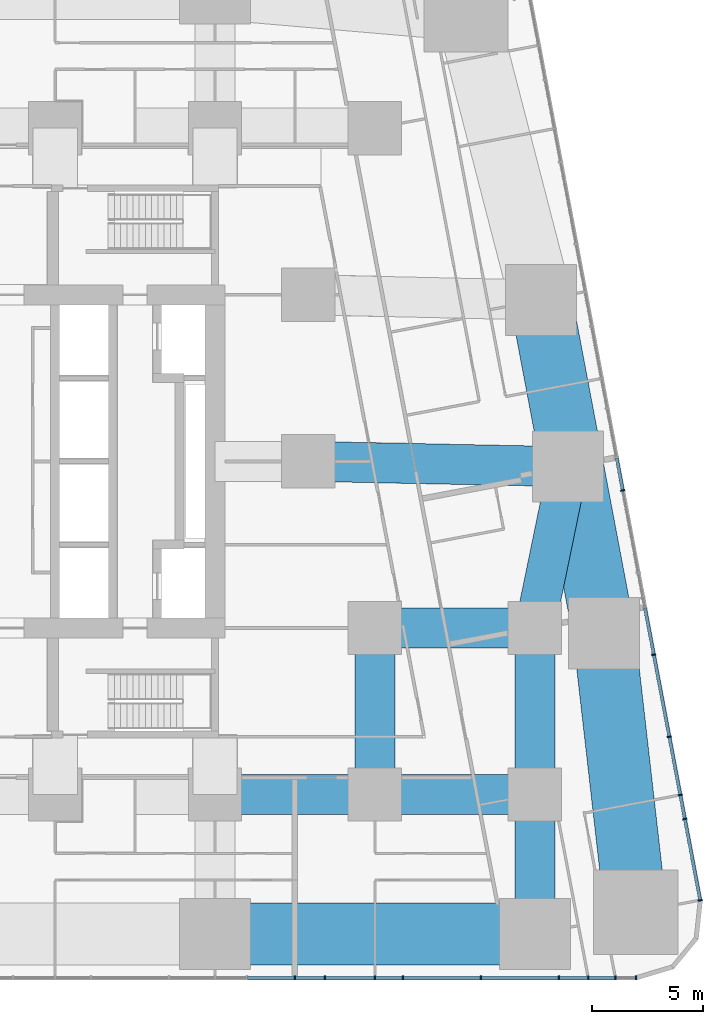
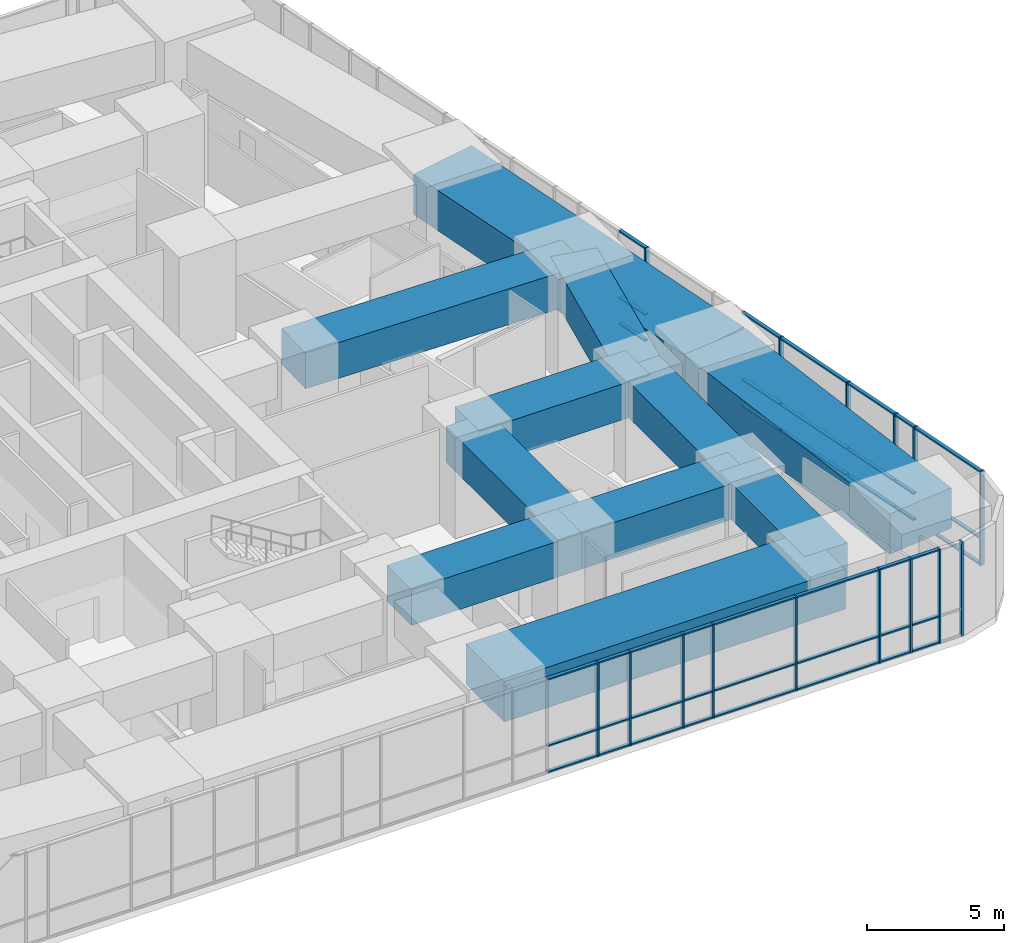
# One storey, part 5 of 22: 57 members, 11 beams, 2 elements without a shape of their own.
"""IFC4 building model written with IfcOpenShell, lengths in metres."""

from ifc_helpers import new_model, si_unit, direction, frame, origin, origin_2d, place, context, subcontext, project, spatial, rectangle, extrude, material, material_profile, profile_set, type_object, element, aggregate, save


model = new_model("IFC4")

# Units and contexts
model_context = context("Model", 3, precision=1e-05, world=origin(), true_north=direction((0.0, 1.0)))
body_context = subcontext(model_context, "Body", "Model", "MODEL_VIEW")
ifc_project = project(units=[si_unit("LENGTHUNIT", "METRE"), si_unit("AREAUNIT", "SQUARE_METRE"), si_unit("VOLUMEUNIT", "CUBIC_METRE"), si_unit("PLANEANGLEUNIT", "RADIAN"), si_unit("MASSUNIT", "GRAM", prefix="KILO")], contexts=[model_context])

# Site, building, storey
site_placement = place(None, origin())
site = spatial("IfcSite", under=ifc_project, at=site_placement, CompositionType="ELEMENT")
building_placement = place(site_placement, origin())
building = spatial("IfcBuilding", under=site, at=building_placement, Name="Sheger Commons Tower", CompositionType="ELEMENT")
storey_placement = place(building_placement, frame((0.0, 0.0, 10.10009765625)))
storey = spatial("IfcBuildingStorey", under=building, at=storey_placement, Name="L02", CompositionType="ELEMENT", Elevation=10.10009765625)

# Beams
ifc_material_1 = material(Name="Concrete C50/60", Category="concrete")
ifc_material_profile_1 = material_profile(ifc_material_1, rectangle(XDim=1.800048828125, YDim=1.60009765625, at=origin_2d()), Name="RC 1800x1600")
ifc_profile_set_1 = profile_set([ifc_material_profile_1], Name="Concrete C50/60")
beam_type_1 = type_object("IfcBeamType", Name="BEAM RC 1800x1600", PredefinedType="BEAM", material=ifc_profile_set_1)
for number, where, z_axis, x_axis, name in (
    (1, (28.800048828125, 7.5, 3.39990234375), (1.0, 0.0, 0.0), (0.0, 1.0, 0.0), "Beam 5/B-6/B under L03"),
    (2, (36.0, 7.5, 3.39990234375), (1.0, 0.0, 0.0), (0.0, 1.0, 0.0), "Beam 6/B-7/B under L03"),
    (3, (36.0, 15.0, 3.39990234375), (1.0, 0.0, 0.0), (0.0, 1.0, 0.0), "Beam 6/C-7/C under L03"),
):
    element("IfcBeam", number, at=place(storey_placement, frame(where, z_axis=z_axis, x_axis=x_axis)), inside=storey, type_object=beam_type_1, Name=name, PredefinedType="BEAM", context=body_context, shape_type="SweptSolid", body=[
        extrude(rectangle(XDim=1.800048828125, YDim=1.60009765625, at=origin_2d()), origin(), (0.0, 0.0, 1.0), 7.199951171875),
    ])
beam_1_placement = place(storey_placement, frame((33.0, 22.5, 3.39990234375), z_axis=(0.999794692776, -0.02026258368, 0.0), x_axis=(0.02026258368, 0.999794692776, 0.0)))
element("IfcBeam", 4, at=beam_1_placement, inside=storey, type_object=beam_type_1, Name="Beam 6-3000/D-7/D under L03", PredefinedType="BEAM", context=body_context, shape_type="SweptSolid", body=[
    extrude(rectangle(XDim=1.800048828125, YDim=1.60009765625, at=origin_2d()), origin(), (0.0, 0.0, 1.0), 11.699462890625),
])
beam_2_placement = place(storey_placement, frame((36.0, 7.5, 3.39990234375), z_axis=(0.0, 1.0, 0.0), x_axis=(-1.0, 0.0, 0.0)))
element("IfcBeam", 5, at=beam_2_placement, inside=storey, type_object=beam_type_1, Name="Beam 6/B-6/C under L03", PredefinedType="BEAM", context=body_context, shape_type="SweptSolid", body=[
    extrude(rectangle(XDim=1.800048828125, YDim=1.60009765625, at=origin_2d()), origin(), (0.0, 0.0, 1.0), 7.5),
])
beam_3_placement = place(storey_placement, frame((43.199951171875, 1.22509765625, 3.39990234375), z_axis=(0.0, 1.0, 0.0), x_axis=(-1.0, 0.0, 0.0)))
element("IfcBeam", 6, at=beam_3_placement, inside=storey, type_object=beam_type_1, Name="Beam 7/A-7/B under L03", PredefinedType="BEAM", context=body_context, shape_type="SweptSolid", body=[
    extrude(rectangle(XDim=1.800048828125, YDim=1.60009765625, at=origin_2d()), origin(), (0.0, 0.0, 1.0), 6.27490234375),
])
beam_4_placement = place(storey_placement, frame((43.199951171875, 7.5, 3.39990234375), z_axis=(0.0, 1.0, 0.0), x_axis=(-1.0, 0.0, 0.0)))
element("IfcBeam", 7, at=beam_4_placement, inside=storey, type_object=beam_type_1, Name="Beam 7/B-7/C under L03", PredefinedType="BEAM", context=body_context, shape_type="SweptSolid", body=[
    extrude(rectangle(XDim=1.800048828125, YDim=1.60009765625, at=origin_2d()), origin(), (0.0, 0.0, 1.0), 7.5),
])
beam_5_placement = place(storey_placement, frame((43.199951171875, 15.0, 3.39990234375), z_axis=(0.201880503661, 0.979410160373, 0.0), x_axis=(-0.979410160373, 0.201880503661, 0.0)))
element("IfcBeam", 8, at=beam_5_placement, inside=storey, type_object=beam_type_1, Name="Beam 7/C-7/D under L03", PredefinedType="BEAM", context=body_context, shape_type="SweptSolid", body=[
    extrude(rectangle(XDim=1.800048828125, YDim=1.60009765625, at=origin_2d()), origin(), (0.0, 0.0, 1.0), 7.41552734375),
])

# Curtain wall, members
ifc_material_2 = material(Name="Black aluminium curtain wall, dark tinted glazing", Category="aluminium")
curtain_wall_type = type_object("IfcCurtainWallType", Name="CURTAIN WALL CW2 HEALTH CENTRE", PredefinedType="USERDEFINED", material=ifc_material_2)
curtain_wall_1_placement = place(storey_placement, origin())
curtain_wall_1 = element("IfcCurtainWall", 9, at=curtain_wall_1_placement, inside=storey, type_object=curtain_wall_type, Name="Curtain Wall Cw2 Health Centre S1 L02", ObjectType="STICK CURTAIN WALL", PredefinedType="USERDEFINED")
ifc_material_3 = material(Name="Black anodised aluminium", Category="aluminium")
ifc_material_profile_2 = material_profile(ifc_material_3, rectangle(XDim=0.199951171875, YDim=0.06494140625, at=origin_2d()), Name="AL 65x200")
ifc_profile_set_2 = profile_set([ifc_material_profile_2], Name="Black anodised aluminium")
member_type_1 = type_object("IfcMemberType", Name="MULLION AL 65x200", PredefinedType="MULLION", material=ifc_profile_set_2)
member_1_placement = place(storey_placement, frame((32.39990234375, -0.75, 0.0), z_axis=(0.0, 0.0, 1.0), x_axis=(0.0, 1.0, 0.0)))
member_1 = element("IfcMember", 10, at=member_1_placement, type_object=member_type_1, Name="CW2 mullion 17", PredefinedType="MULLION", context=body_context, shape_type="SweptSolid", body=[
    extrude(rectangle(XDim=0.199951171875, YDim=0.06494140625, at=origin_2d()), origin(), (0.0, 0.0, 1.0), 4.199951171875),
])
member_2_placement = place(storey_placement, frame((33.751953125, -0.75, 0.0), z_axis=(0.0, 0.0, 1.0), x_axis=(0.0, 1.0, 0.0)))
member_2 = element("IfcMember", 11, at=member_2_placement, type_object=member_type_1, Name="CW2 mullion 18", PredefinedType="MULLION", context=body_context, shape_type="SweptSolid", body=[
    extrude(rectangle(XDim=0.199951171875, YDim=0.06494140625, at=origin_2d()), origin(), (0.0, 0.0, 1.0), 4.199951171875),
])
member_3_placement = place(storey_placement, frame((36.0, -0.75, 0.0), z_axis=(0.0, 0.0, 1.0), x_axis=(0.0, 1.0, 0.0)))
member_3 = element("IfcMember", 12, at=member_3_placement, type_object=member_type_1, Name="CW2 mullion 19", PredefinedType="MULLION", context=body_context, shape_type="SweptSolid", body=[
    extrude(rectangle(XDim=0.199951171875, YDim=0.06494140625, at=origin_2d()), origin(), (0.0, 0.0, 1.0), 4.199951171875),
])
member_4_placement = place(storey_placement, frame((37.260986328125, -0.75, 0.0), z_axis=(0.0, 0.0, 1.0), x_axis=(0.0, 1.0, 0.0)))
member_4 = element("IfcMember", 13, at=member_4_placement, type_object=member_type_1, Name="CW2 mullion 20", PredefinedType="MULLION", context=body_context, shape_type="SweptSolid", body=[
    extrude(rectangle(XDim=0.199951171875, YDim=0.06494140625, at=origin_2d()), origin(), (0.0, 0.0, 1.0), 4.199951171875),
])
member_5_placement = place(storey_placement, frame((40.77099609375, -0.75, 0.0), z_axis=(0.0, 0.0, 1.0), x_axis=(0.0, 1.0, 0.0)))
member_5 = element("IfcMember", 14, at=member_5_placement, type_object=member_type_1, Name="CW2 mullion 21", PredefinedType="MULLION", context=body_context, shape_type="SweptSolid", body=[
    extrude(rectangle(XDim=0.199951171875, YDim=0.06494140625, at=origin_2d()), origin(), (0.0, 0.0, 1.0), 4.199951171875),
])
member_6_placement = place(storey_placement, frame((44.281005859375, -0.75, 0.0), z_axis=(0.0, 0.0, 1.0), x_axis=(0.0, 1.0, 0.0)))
member_6 = element("IfcMember", 15, at=member_6_placement, type_object=member_type_1, Name="CW2 mullion 22", PredefinedType="MULLION", context=body_context, shape_type="SweptSolid", body=[
    extrude(rectangle(XDim=0.199951171875, YDim=0.06494140625, at=origin_2d()), origin(), (0.0, 0.0, 1.0), 4.199951171875),
])
member_7_placement = place(storey_placement, frame((45.60595703125, -0.75, 0.0), z_axis=(0.0, 0.0, 1.0), x_axis=(0.0, 1.0, 0.0)))
member_7 = element("IfcMember", 16, at=member_7_placement, type_object=member_type_1, Name="CW2 mullion 23", PredefinedType="MULLION", context=body_context, shape_type="SweptSolid", body=[
    extrude(rectangle(XDim=0.199951171875, YDim=0.06494140625, at=origin_2d()), origin(), (0.0, 0.0, 1.0), 4.199951171875),
])
member_8_placement = place(storey_placement, frame((46.826904296875, -0.75, 0.0), z_axis=(0.0, 0.0, 1.0), x_axis=(0.0, 1.0, 0.0)))
member_8 = element("IfcMember", 17, at=member_8_placement, type_object=member_type_1, Name="CW2 mullion 24", PredefinedType="MULLION", context=body_context, shape_type="SweptSolid", body=[
    extrude(rectangle(XDim=0.199951171875, YDim=0.06494140625, at=origin_2d()), origin(), (0.0, 0.0, 1.0), 4.199951171875),
])
member_9_placement = place(storey_placement, frame((47.758544921875, -0.75, 0.0), z_axis=(0.0, 0.0, 1.0), x_axis=(0.0, 1.0, 0.0)))
member_9 = element("IfcMember", 18, at=member_9_placement, type_object=member_type_1, Name="CW2 mullion 25", PredefinedType="MULLION", context=body_context, shape_type="SweptSolid", body=[
    extrude(rectangle(XDim=0.199951171875, YDim=0.06494140625, at=origin_2d()), origin(), (0.0, 0.0, 1.0), 4.199951171875),
])

curtain_wall_2_placement = place(storey_placement, origin())
curtain_wall_2 = element("IfcCurtainWall", 19, at=curtain_wall_2_placement, inside=storey, type_object=curtain_wall_type, Name="Curtain Wall Cw2 Health Centre E1 L02", ObjectType="STICK CURTAIN WALL", PredefinedType="USERDEFINED")
member_10_placement = place(storey_placement, frame((50.64697265625, 2.73486328125, 0.0), z_axis=(0.0, 0.0, 1.0), x_axis=(-0.982623514181, -0.185609884918, 0.0)))
member_10 = element("IfcMember", 20, at=member_10_placement, type_object=member_type_1, Name="CW2 mullion 1", PredefinedType="MULLION", context=body_context, shape_type="SweptSolid", body=[
    extrude(rectangle(XDim=0.199951171875, YDim=0.06494140625, at=origin_2d()), origin(), (0.0, 0.0, 1.0), 4.199951171875),
])
member_11_placement = place(storey_placement, frame((49.95458984375, 6.400634765625, 0.0), z_axis=(0.0, 0.0, 1.0), x_axis=(-0.982623514181, -0.185609884918, 0.0)))
member_11 = element("IfcMember", 21, at=member_11_placement, type_object=member_type_1, Name="CW2 mullion 2", PredefinedType="MULLION", context=body_context, shape_type="SweptSolid", body=[
    extrude(rectangle(XDim=0.199951171875, YDim=0.06494140625, at=origin_2d()), origin(), (0.0, 0.0, 1.0), 4.199951171875),
])
member_12_placement = place(storey_placement, frame((49.75048828125, 7.4814453125, 0.0), z_axis=(0.0, 0.0, 1.0), x_axis=(-0.982623514181, -0.185609884918, 0.0)))
member_12 = element("IfcMember", 22, at=member_12_placement, type_object=member_type_1, Name="CW2 mullion 3", PredefinedType="MULLION", context=body_context, shape_type="SweptSolid", body=[
    extrude(rectangle(XDim=0.199951171875, YDim=0.06494140625, at=origin_2d()), origin(), (0.0, 0.0, 1.0), 4.199951171875),
])
member_13_placement = place(storey_placement, frame((49.256103515625, 10.09814453125, 0.0), z_axis=(0.0, 0.0, 1.0), x_axis=(-0.982623514181, -0.185609884918, 0.0)))
member_13 = element("IfcMember", 23, at=member_13_placement, type_object=member_type_1, Name="CW2 mullion 4", PredefinedType="MULLION", context=body_context, shape_type="SweptSolid", body=[
    extrude(rectangle(XDim=0.199951171875, YDim=0.06494140625, at=origin_2d()), origin(), (0.0, 0.0, 1.0), 4.199951171875),
])
member_14_placement = place(storey_placement, frame((48.5576171875, 13.7958984375, 0.0), z_axis=(0.0, 0.0, 1.0), x_axis=(-0.982623514181, -0.185609884918, 0.0)))
member_14 = element("IfcMember", 24, at=member_14_placement, type_object=member_type_1, Name="CW2 mullion 5", PredefinedType="MULLION", context=body_context, shape_type="SweptSolid", body=[
    extrude(rectangle(XDim=0.199951171875, YDim=0.06494140625, at=origin_2d()), origin(), (0.0, 0.0, 1.0), 4.199951171875),
])
member_15_placement = place(storey_placement, frame((47.16064453125, 21.191162109375, 0.0), z_axis=(0.0, 0.0, 1.0), x_axis=(-0.982623514181, -0.185609884918, 0.0)))
member_15 = element("IfcMember", 25, at=member_15_placement, type_object=member_type_1, Name="CW2 mullion 9", PredefinedType="MULLION", context=body_context, shape_type="SweptSolid", body=[
    extrude(rectangle(XDim=0.199951171875, YDim=0.06494140625, at=origin_2d()), origin(), (0.0, 0.0, 1.0), 4.199951171875),
])

# Beams
ifc_material_4 = material(Name="Concrete C50/60", Category="concrete")
ifc_material_profile_3 = material_profile(ifc_material_4, rectangle(XDim=2.800048828125, YDim=1.800048828125, at=origin_2d()), Name="RC 2800x1800")
ifc_profile_set_3 = profile_set([ifc_material_profile_3], Name="Concrete C50/60")
beam_type_2 = type_object("IfcBeamType", Name="SPANDREL RC 2800x1800", PredefinedType="SPANDREL", material=ifc_profile_set_3)
beam_6_placement = place(storey_placement, frame((28.800048828125, 1.22509765625, 3.2998046875), z_axis=(1.0, 0.0, 0.0), x_axis=(0.0, 1.0, 0.0)))
element("IfcBeam", 26, at=beam_6_placement, inside=storey, type_object=beam_type_2, Name="Beam 5/A-7/A under L03", PredefinedType="SPANDREL", context=body_context, shape_type="SweptSolid", body=[
    extrude(rectangle(XDim=2.800048828125, YDim=1.800048828125, at=origin_2d()), origin(), (0.0, 0.0, 1.0), 14.39990234375),
])
beam_7_placement = place(storey_placement, frame((47.748046875, 2.197021484375, 3.2998046875), z_axis=(-0.113388708633, 0.993550703666, 0.0), x_axis=(-0.993550703666, -0.113388708633, 0.0)))
element("IfcBeam", 27, at=beam_7_placement, inside=storey, type_object=beam_type_2, Name="Beam 49.461,0.778-E/C under L03", PredefinedType="SPANDREL", context=body_context, shape_type="SweptSolid", body=[
    extrude(rectangle(XDim=2.800048828125, YDim=1.800048828125, at=origin_2d()), origin(), (0.0, 0.0, 1.0), 12.6474609375),
])
beam_8_placement = place(storey_placement, frame((46.31396484375, 14.762939453125, 3.2998046875), z_axis=(-0.185647953645, 0.982616322533, 0.0), x_axis=(-0.982616322533, -0.185647953645, 0.0)))
element("IfcBeam", 28, at=beam_8_placement, inside=storey, type_object=beam_type_2, Name="Beam E/C-E/E under L03", PredefinedType="SPANDREL", context=body_context, shape_type="SweptSolid", body=[
    extrude(rectangle(XDim=2.800048828125, YDim=1.800048828125, at=origin_2d()), origin(), (0.0, 0.0, 1.0), 15.265380859375),
])

# Member
ifc_material_5 = material(Name="Black anodised aluminium", Category="aluminium")
ifc_material_profile_4 = material_profile(ifc_material_5, rectangle(XDim=0.14990234375, YDim=0.06494140625, at=origin_2d()), Name="AL 65x150")
ifc_profile_set_4 = profile_set([ifc_material_profile_4], Name="Black anodised aluminium")
member_type_2 = type_object("IfcMemberType", Name="TRANSOM AL 65x150", PredefinedType="USERDEFINED", material=ifc_profile_set_4)
member_16_placement = place(storey_placement, frame((30.2744140625, -0.75, 0.032470703125), z_axis=(1.0, 0.0, 0.0), x_axis=(0.0, 1.0, 0.0)))
member_16 = element("IfcMember", 29, at=member_16_placement, type_object=member_type_2, Name="CW2 transom 16.1", ObjectType="TRANSOM", PredefinedType="USERDEFINED", context=body_context, shape_type="SweptSolid", body=[
    extrude(rectangle(XDim=0.14990234375, YDim=0.06494140625, at=origin_2d()), origin(), (0.0, 0.0, 1.0), 2.093017578125),
])

member_17_placement = place(storey_placement, frame((30.2744140625, -0.75, 1.199951171875), z_axis=(1.0, 0.0, 0.0), x_axis=(0.0, 1.0, 0.0)))
member_17 = element("IfcMember", 30, at=member_17_placement, type_object=member_type_2, Name="CW2 transom 16.2", ObjectType="TRANSOM", PredefinedType="USERDEFINED", context=body_context, shape_type="SweptSolid", body=[
    extrude(rectangle(XDim=0.14990234375, YDim=0.06494140625, at=origin_2d()), origin(), (0.0, 0.0, 1.0), 2.093017578125),
])

member_18_placement = place(storey_placement, frame((30.2744140625, -0.75, 4.16748046875), z_axis=(1.0, 0.0, 0.0), x_axis=(0.0, 1.0, 0.0)))
member_18 = element("IfcMember", 31, at=member_18_placement, type_object=member_type_2, Name="CW2 transom 16.3", ObjectType="TRANSOM", PredefinedType="USERDEFINED", context=body_context, shape_type="SweptSolid", body=[
    extrude(rectangle(XDim=0.14990234375, YDim=0.06494140625, at=origin_2d()), origin(), (0.0, 0.0, 1.0), 2.093017578125),
])

member_19_placement = place(storey_placement, frame((32.4326171875, -0.75, 0.032470703125), z_axis=(1.0, 0.0, 0.0), x_axis=(0.0, 1.0, 0.0)))
member_19 = element("IfcMember", 32, at=member_19_placement, type_object=member_type_2, Name="CW2 transom 17.1", ObjectType="TRANSOM", PredefinedType="USERDEFINED", context=body_context, shape_type="SweptSolid", body=[
    extrude(rectangle(XDim=0.14990234375, YDim=0.06494140625, at=origin_2d()), origin(), (0.0, 0.0, 1.0), 1.286865234375),
])

member_20_placement = place(storey_placement, frame((32.4326171875, -0.75, 1.199951171875), z_axis=(1.0, 0.0, 0.0), x_axis=(0.0, 1.0, 0.0)))
member_20 = element("IfcMember", 33, at=member_20_placement, type_object=member_type_2, Name="CW2 transom 17.2", ObjectType="TRANSOM", PredefinedType="USERDEFINED", context=body_context, shape_type="SweptSolid", body=[
    extrude(rectangle(XDim=0.14990234375, YDim=0.06494140625, at=origin_2d()), origin(), (0.0, 0.0, 1.0), 1.286865234375),
])

member_21_placement = place(storey_placement, frame((32.4326171875, -0.75, 4.16748046875), z_axis=(1.0, 0.0, 0.0), x_axis=(0.0, 1.0, 0.0)))
member_21 = element("IfcMember", 34, at=member_21_placement, type_object=member_type_2, Name="CW2 transom 17.3", ObjectType="TRANSOM", PredefinedType="USERDEFINED", context=body_context, shape_type="SweptSolid", body=[
    extrude(rectangle(XDim=0.14990234375, YDim=0.06494140625, at=origin_2d()), origin(), (0.0, 0.0, 1.0), 1.286865234375),
])

member_22_placement = place(storey_placement, frame((33.784423828125, -0.75, 0.032470703125), z_axis=(1.0, 0.0, 0.0), x_axis=(0.0, 1.0, 0.0)))
member_22 = element("IfcMember", 35, at=member_22_placement, type_object=member_type_2, Name="CW2 transom 18.1", ObjectType="TRANSOM", PredefinedType="USERDEFINED", context=body_context, shape_type="SweptSolid", body=[
    extrude(rectangle(XDim=0.14990234375, YDim=0.06494140625, at=origin_2d()), origin(), (0.0, 0.0, 1.0), 2.18310546875),
])

member_23_placement = place(storey_placement, frame((33.784423828125, -0.75, 1.199951171875), z_axis=(1.0, 0.0, 0.0), x_axis=(0.0, 1.0, 0.0)))
member_23 = element("IfcMember", 36, at=member_23_placement, type_object=member_type_2, Name="CW2 transom 18.2", ObjectType="TRANSOM", PredefinedType="USERDEFINED", context=body_context, shape_type="SweptSolid", body=[
    extrude(rectangle(XDim=0.14990234375, YDim=0.06494140625, at=origin_2d()), origin(), (0.0, 0.0, 1.0), 2.18310546875),
])

member_24_placement = place(storey_placement, frame((33.784423828125, -0.75, 4.16748046875), z_axis=(1.0, 0.0, 0.0), x_axis=(0.0, 1.0, 0.0)))
member_24 = element("IfcMember", 37, at=member_24_placement, type_object=member_type_2, Name="CW2 transom 18.3", ObjectType="TRANSOM", PredefinedType="USERDEFINED", context=body_context, shape_type="SweptSolid", body=[
    extrude(rectangle(XDim=0.14990234375, YDim=0.06494140625, at=origin_2d()), origin(), (0.0, 0.0, 1.0), 2.18310546875),
])

member_25_placement = place(storey_placement, frame((36.032470703125, -0.75, 0.032470703125), z_axis=(1.0, 0.0, 0.0), x_axis=(0.0, 1.0, 0.0)))
member_25 = element("IfcMember", 38, at=member_25_placement, type_object=member_type_2, Name="CW2 transom 19.1", ObjectType="TRANSOM", PredefinedType="USERDEFINED", context=body_context, shape_type="SweptSolid", body=[
    extrude(rectangle(XDim=0.14990234375, YDim=0.06494140625, at=origin_2d()), origin(), (0.0, 0.0, 1.0), 1.196044921875),
])

member_26_placement = place(storey_placement, frame((36.032470703125, -0.75, 1.199951171875), z_axis=(1.0, 0.0, 0.0), x_axis=(0.0, 1.0, 0.0)))
member_26 = element("IfcMember", 39, at=member_26_placement, type_object=member_type_2, Name="CW2 transom 19.2", ObjectType="TRANSOM", PredefinedType="USERDEFINED", context=body_context, shape_type="SweptSolid", body=[
    extrude(rectangle(XDim=0.14990234375, YDim=0.06494140625, at=origin_2d()), origin(), (0.0, 0.0, 1.0), 1.196044921875),
])

member_27_placement = place(storey_placement, frame((36.032470703125, -0.75, 4.16748046875), z_axis=(1.0, 0.0, 0.0), x_axis=(0.0, 1.0, 0.0)))
member_27 = element("IfcMember", 40, at=member_27_placement, type_object=member_type_2, Name="CW2 transom 19.3", ObjectType="TRANSOM", PredefinedType="USERDEFINED", context=body_context, shape_type="SweptSolid", body=[
    extrude(rectangle(XDim=0.14990234375, YDim=0.06494140625, at=origin_2d()), origin(), (0.0, 0.0, 1.0), 1.196044921875),
])

member_28_placement = place(storey_placement, frame((37.29345703125, -0.75, 0.032470703125), z_axis=(1.0, 0.0, 0.0), x_axis=(0.0, 1.0, 0.0)))
member_28 = element("IfcMember", 41, at=member_28_placement, type_object=member_type_2, Name="CW2 transom 20.1", ObjectType="TRANSOM", PredefinedType="USERDEFINED", context=body_context, shape_type="SweptSolid", body=[
    extrude(rectangle(XDim=0.14990234375, YDim=0.06494140625, at=origin_2d()), origin(), (0.0, 0.0, 1.0), 3.445068359375),
])

member_29_placement = place(storey_placement, frame((37.29345703125, -0.75, 1.199951171875), z_axis=(1.0, 0.0, 0.0), x_axis=(0.0, 1.0, 0.0)))
member_29 = element("IfcMember", 42, at=member_29_placement, type_object=member_type_2, Name="CW2 transom 20.2", ObjectType="TRANSOM", PredefinedType="USERDEFINED", context=body_context, shape_type="SweptSolid", body=[
    extrude(rectangle(XDim=0.14990234375, YDim=0.06494140625, at=origin_2d()), origin(), (0.0, 0.0, 1.0), 3.445068359375),
])

member_30_placement = place(storey_placement, frame((37.29345703125, -0.75, 4.16748046875), z_axis=(1.0, 0.0, 0.0), x_axis=(0.0, 1.0, 0.0)))
member_30 = element("IfcMember", 43, at=member_30_placement, type_object=member_type_2, Name="CW2 transom 20.3", ObjectType="TRANSOM", PredefinedType="USERDEFINED", context=body_context, shape_type="SweptSolid", body=[
    extrude(rectangle(XDim=0.14990234375, YDim=0.06494140625, at=origin_2d()), origin(), (0.0, 0.0, 1.0), 3.445068359375),
])

member_31_placement = place(storey_placement, frame((40.803466796875, -0.75, 0.032470703125), z_axis=(1.0, 0.0, 0.0), x_axis=(0.0, 1.0, 0.0)))
member_31 = element("IfcMember", 44, at=member_31_placement, type_object=member_type_2, Name="CW2 transom 21.1", ObjectType="TRANSOM", PredefinedType="USERDEFINED", context=body_context, shape_type="SweptSolid", body=[
    extrude(rectangle(XDim=0.14990234375, YDim=0.06494140625, at=origin_2d()), origin(), (0.0, 0.0, 1.0), 3.445068359375),
])

member_32_placement = place(storey_placement, frame((40.803466796875, -0.75, 1.199951171875), z_axis=(1.0, 0.0, 0.0), x_axis=(0.0, 1.0, 0.0)))
member_32 = element("IfcMember", 45, at=member_32_placement, type_object=member_type_2, Name="CW2 transom 21.2", ObjectType="TRANSOM", PredefinedType="USERDEFINED", context=body_context, shape_type="SweptSolid", body=[
    extrude(rectangle(XDim=0.14990234375, YDim=0.06494140625, at=origin_2d()), origin(), (0.0, 0.0, 1.0), 3.445068359375),
])

member_33_placement = place(storey_placement, frame((40.803466796875, -0.75, 4.16748046875), z_axis=(1.0, 0.0, 0.0), x_axis=(0.0, 1.0, 0.0)))
member_33 = element("IfcMember", 46, at=member_33_placement, type_object=member_type_2, Name="CW2 transom 21.3", ObjectType="TRANSOM", PredefinedType="USERDEFINED", context=body_context, shape_type="SweptSolid", body=[
    extrude(rectangle(XDim=0.14990234375, YDim=0.06494140625, at=origin_2d()), origin(), (0.0, 0.0, 1.0), 3.445068359375),
])

member_34_placement = place(storey_placement, frame((44.3134765625, -0.75, 0.032470703125), z_axis=(1.0, 0.0, 0.0), x_axis=(0.0, 1.0, 0.0)))
member_34 = element("IfcMember", 47, at=member_34_placement, type_object=member_type_2, Name="CW2 transom 22.1", ObjectType="TRANSOM", PredefinedType="USERDEFINED", context=body_context, shape_type="SweptSolid", body=[
    extrude(rectangle(XDim=0.14990234375, YDim=0.06494140625, at=origin_2d()), origin(), (0.0, 0.0, 1.0), 1.260009765625),
])

member_35_placement = place(storey_placement, frame((44.3134765625, -0.75, 1.199951171875), z_axis=(1.0, 0.0, 0.0), x_axis=(0.0, 1.0, 0.0)))
member_35 = element("IfcMember", 48, at=member_35_placement, type_object=member_type_2, Name="CW2 transom 22.2", ObjectType="TRANSOM", PredefinedType="USERDEFINED", context=body_context, shape_type="SweptSolid", body=[
    extrude(rectangle(XDim=0.14990234375, YDim=0.06494140625, at=origin_2d()), origin(), (0.0, 0.0, 1.0), 1.260009765625),
])

member_36_placement = place(storey_placement, frame((44.3134765625, -0.75, 4.16748046875), z_axis=(1.0, 0.0, 0.0), x_axis=(0.0, 1.0, 0.0)))
member_36 = element("IfcMember", 49, at=member_36_placement, type_object=member_type_2, Name="CW2 transom 22.3", ObjectType="TRANSOM", PredefinedType="USERDEFINED", context=body_context, shape_type="SweptSolid", body=[
    extrude(rectangle(XDim=0.14990234375, YDim=0.06494140625, at=origin_2d()), origin(), (0.0, 0.0, 1.0), 1.260009765625),
])

member_37_placement = place(storey_placement, frame((45.638427734375, -0.75, 0.032470703125), z_axis=(1.0, 0.0, 0.0), x_axis=(0.0, 1.0, 0.0)))
member_37 = element("IfcMember", 50, at=member_37_placement, type_object=member_type_2, Name="CW2 transom 23.1", ObjectType="TRANSOM", PredefinedType="USERDEFINED", context=body_context, shape_type="SweptSolid", body=[
    extrude(rectangle(XDim=0.14990234375, YDim=0.06494140625, at=origin_2d()), origin(), (0.0, 0.0, 1.0), 1.156005859375),
])

member_38_placement = place(storey_placement, frame((45.638427734375, -0.75, 1.199951171875), z_axis=(1.0, 0.0, 0.0), x_axis=(0.0, 1.0, 0.0)))
member_38 = element("IfcMember", 51, at=member_38_placement, type_object=member_type_2, Name="CW2 transom 23.2", ObjectType="TRANSOM", PredefinedType="USERDEFINED", context=body_context, shape_type="SweptSolid", body=[
    extrude(rectangle(XDim=0.14990234375, YDim=0.06494140625, at=origin_2d()), origin(), (0.0, 0.0, 1.0), 1.156005859375),
])

member_39_placement = place(storey_placement, frame((45.638427734375, -0.75, 4.16748046875), z_axis=(1.0, 0.0, 0.0), x_axis=(0.0, 1.0, 0.0)))
member_39 = element("IfcMember", 52, at=member_39_placement, type_object=member_type_2, Name="CW2 transom 23.3", ObjectType="TRANSOM", PredefinedType="USERDEFINED", context=body_context, shape_type="SweptSolid", body=[
    extrude(rectangle(XDim=0.14990234375, YDim=0.06494140625, at=origin_2d()), origin(), (0.0, 0.0, 1.0), 1.156005859375),
])

aggregate(curtain_wall_1, [member_1, member_2, member_3, member_4, member_5, member_6, member_7, member_8, member_9, member_16, member_17, member_18, member_19, member_20, member_21, member_22, member_23, member_24, member_25, member_26, member_27, member_28, member_29, member_30, member_31, member_32, member_33, member_34, member_35, member_36, member_37, member_38, member_39])

member_40_placement = place(storey_placement, frame((50.640869140625, 2.766845703125, 0.032470703125), z_axis=(-0.185563185982, 0.982632334095, 0.0), x_axis=(-0.982632334095, -0.185563185982, 0.0)))
member_40 = element("IfcMember", 53, at=member_40_placement, type_object=member_type_2, Name="CW2 transom 1.1", ObjectType="TRANSOM", PredefinedType="USERDEFINED", context=body_context, shape_type="SweptSolid", body=[
    extrude(rectangle(XDim=0.14990234375, YDim=0.06494140625, at=origin_2d()), origin(), (0.0, 0.0, 1.0), 3.66552734375),
])

member_41_placement = place(storey_placement, frame((50.640869140625, 2.766845703125, 1.199951171875), z_axis=(-0.185563185982, 0.982632334095, 0.0), x_axis=(-0.982632334095, -0.185563185982, 0.0)))
member_41 = element("IfcMember", 54, at=member_41_placement, type_object=member_type_2, Name="CW2 transom 1.2", ObjectType="TRANSOM", PredefinedType="USERDEFINED", context=body_context, shape_type="SweptSolid", body=[
    extrude(rectangle(XDim=0.14990234375, YDim=0.06494140625, at=origin_2d()), origin(), (0.0, 0.0, 1.0), 3.66552734375),
])

member_42_placement = place(storey_placement, frame((50.640869140625, 2.766845703125, 4.16748046875), z_axis=(-0.185563185982, 0.982632334095, 0.0), x_axis=(-0.982632334095, -0.185563185982, 0.0)))
member_42 = element("IfcMember", 55, at=member_42_placement, type_object=member_type_2, Name="CW2 transom 1.3", ObjectType="TRANSOM", PredefinedType="USERDEFINED", context=body_context, shape_type="SweptSolid", body=[
    extrude(rectangle(XDim=0.14990234375, YDim=0.06494140625, at=origin_2d()), origin(), (0.0, 0.0, 1.0), 3.66552734375),
])

member_43_placement = place(storey_placement, frame((49.948486328125, 6.4326171875, 0.032470703125), z_axis=(-0.185670050436, 0.982612147478, 0.0), x_axis=(-0.982612147478, -0.185670050436, 0.0)))
member_43 = element("IfcMember", 56, at=member_43_placement, type_object=member_type_2, Name="CW2 transom 2.1", ObjectType="TRANSOM", PredefinedType="USERDEFINED", context=body_context, shape_type="SweptSolid", body=[
    extrude(rectangle(XDim=0.14990234375, YDim=0.06494140625, at=origin_2d()), origin(), (0.0, 0.0, 1.0), 1.034912109375),
])

member_44_placement = place(storey_placement, frame((49.948486328125, 6.4326171875, 1.199951171875), z_axis=(-0.185670050436, 0.982612147478, 0.0), x_axis=(-0.982612147478, -0.185670050436, 0.0)))
member_44 = element("IfcMember", 57, at=member_44_placement, type_object=member_type_2, Name="CW2 transom 2.2", ObjectType="TRANSOM", PredefinedType="USERDEFINED", context=body_context, shape_type="SweptSolid", body=[
    extrude(rectangle(XDim=0.14990234375, YDim=0.06494140625, at=origin_2d()), origin(), (0.0, 0.0, 1.0), 1.034912109375),
])

member_45_placement = place(storey_placement, frame((49.948486328125, 6.4326171875, 4.16748046875), z_axis=(-0.185670050436, 0.982612147478, 0.0), x_axis=(-0.982612147478, -0.185670050436, 0.0)))
member_45 = element("IfcMember", 58, at=member_45_placement, type_object=member_type_2, Name="CW2 transom 2.3", ObjectType="TRANSOM", PredefinedType="USERDEFINED", context=body_context, shape_type="SweptSolid", body=[
    extrude(rectangle(XDim=0.14990234375, YDim=0.06494140625, at=origin_2d()), origin(), (0.0, 0.0, 1.0), 1.034912109375),
])

member_46_placement = place(storey_placement, frame((49.744384765625, 7.513427734375, 0.032470703125), z_axis=(-0.185587620355, 0.982627719521, 0.0), x_axis=(-0.982627719521, -0.185587620355, 0.0)))
member_46 = element("IfcMember", 59, at=member_46_placement, type_object=member_type_2, Name="CW2 transom 3.1", ObjectType="TRANSOM", PredefinedType="USERDEFINED", context=body_context, shape_type="SweptSolid", body=[
    extrude(rectangle(XDim=0.14990234375, YDim=0.06494140625, at=origin_2d()), origin(), (0.0, 0.0, 1.0), 2.59814453125),
])

member_47_placement = place(storey_placement, frame((49.744384765625, 7.513427734375, 1.199951171875), z_axis=(-0.185587620355, 0.982627719521, 0.0), x_axis=(-0.982627719521, -0.185587620355, 0.0)))
member_47 = element("IfcMember", 60, at=member_47_placement, type_object=member_type_2, Name="CW2 transom 3.2", ObjectType="TRANSOM", PredefinedType="USERDEFINED", context=body_context, shape_type="SweptSolid", body=[
    extrude(rectangle(XDim=0.14990234375, YDim=0.06494140625, at=origin_2d()), origin(), (0.0, 0.0, 1.0), 2.59814453125),
])

member_48_placement = place(storey_placement, frame((49.744384765625, 7.513427734375, 4.16748046875), z_axis=(-0.185587620355, 0.982627719521, 0.0), x_axis=(-0.982627719521, -0.185587620355, 0.0)))
member_48 = element("IfcMember", 61, at=member_48_placement, type_object=member_type_2, Name="CW2 transom 3.3", ObjectType="TRANSOM", PredefinedType="USERDEFINED", context=body_context, shape_type="SweptSolid", body=[
    extrude(rectangle(XDim=0.14990234375, YDim=0.06494140625, at=origin_2d()), origin(), (0.0, 0.0, 1.0), 2.59814453125),
])

member_49_placement = place(storey_placement, frame((49.25, 10.130126953125, 0.032470703125), z_axis=(-0.185579860214, 0.982629185137, 0.0), x_axis=(-0.982629185137, -0.185579860214, 0.0)))
member_49 = element("IfcMember", 62, at=member_49_placement, type_object=member_type_2, Name="CW2 transom 4.1", ObjectType="TRANSOM", PredefinedType="USERDEFINED", context=body_context, shape_type="SweptSolid", body=[
    extrude(rectangle(XDim=0.14990234375, YDim=0.06494140625, at=origin_2d()), origin(), (0.0, 0.0, 1.0), 3.697998046875),
])

member_50_placement = place(storey_placement, frame((49.25, 10.130126953125, 1.199951171875), z_axis=(-0.185579860214, 0.982629185137, 0.0), x_axis=(-0.982629185137, -0.185579860214, 0.0)))
member_50 = element("IfcMember", 63, at=member_50_placement, type_object=member_type_2, Name="CW2 transom 4.2", ObjectType="TRANSOM", PredefinedType="USERDEFINED", context=body_context, shape_type="SweptSolid", body=[
    extrude(rectangle(XDim=0.14990234375, YDim=0.06494140625, at=origin_2d()), origin(), (0.0, 0.0, 1.0), 3.697998046875),
])

member_51_placement = place(storey_placement, frame((49.25, 10.130126953125, 4.16748046875), z_axis=(-0.185579860214, 0.982629185137, 0.0), x_axis=(-0.982629185137, -0.185579860214, 0.0)))
member_51 = element("IfcMember", 64, at=member_51_placement, type_object=member_type_2, Name="CW2 transom 4.3", ObjectType="TRANSOM", PredefinedType="USERDEFINED", context=body_context, shape_type="SweptSolid", body=[
    extrude(rectangle(XDim=0.14990234375, YDim=0.06494140625, at=origin_2d()), origin(), (0.0, 0.0, 1.0), 3.697998046875),
])

member_52_placement = place(storey_placement, frame((48.551513671875, 13.827880859375, 0.032470703125), z_axis=(-0.185544762354, 0.982635813088, 0.0), x_axis=(-0.982635813088, -0.185544762354, 0.0)))
member_52 = element("IfcMember", 65, at=member_52_placement, type_object=member_type_2, Name="CW2 transom 5.1", ObjectType="TRANSOM", PredefinedType="USERDEFINED", context=body_context, shape_type="SweptSolid", body=[
    extrude(rectangle(XDim=0.14990234375, YDim=0.06494140625, at=origin_2d()), origin(), (0.0, 0.0, 1.0), 2.11181640625),
])

member_53_placement = place(storey_placement, frame((48.551513671875, 13.827880859375, 1.199951171875), z_axis=(-0.185544762354, 0.982635813088, 0.0), x_axis=(-0.982635813088, -0.185544762354, 0.0)))
member_53 = element("IfcMember", 66, at=member_53_placement, type_object=member_type_2, Name="CW2 transom 5.2", ObjectType="TRANSOM", PredefinedType="USERDEFINED", context=body_context, shape_type="SweptSolid", body=[
    extrude(rectangle(XDim=0.14990234375, YDim=0.06494140625, at=origin_2d()), origin(), (0.0, 0.0, 1.0), 2.11181640625),
])

member_54_placement = place(storey_placement, frame((48.551513671875, 13.827880859375, 4.16748046875), z_axis=(-0.185544762354, 0.982635813088, 0.0), x_axis=(-0.982635813088, -0.185544762354, 0.0)))
member_54 = element("IfcMember", 67, at=member_54_placement, type_object=member_type_2, Name="CW2 transom 5.3", ObjectType="TRANSOM", PredefinedType="USERDEFINED", context=body_context, shape_type="SweptSolid", body=[
    extrude(rectangle(XDim=0.14990234375, YDim=0.06494140625, at=origin_2d()), origin(), (0.0, 0.0, 1.0), 2.11181640625),
])

member_55_placement = place(storey_placement, frame((47.15478515625, 21.222900390625, 0.032470703125), z_axis=(-0.185675651136, 0.982611089178, 0.0), x_axis=(-0.982611089178, -0.185675651136, 0.0)))
member_55 = element("IfcMember", 68, at=member_55_placement, type_object=member_type_2, Name="CW2 transom 9.1", ObjectType="TRANSOM", PredefinedType="USERDEFINED", context=body_context, shape_type="SweptSolid", body=[
    extrude(rectangle(XDim=0.14990234375, YDim=0.06494140625, at=origin_2d()), origin(), (0.0, 0.0, 1.0), 1.445068359375),
])

member_56_placement = place(storey_placement, frame((47.15478515625, 21.222900390625, 1.199951171875), z_axis=(-0.185675651136, 0.982611089178, 0.0), x_axis=(-0.982611089178, -0.185675651136, 0.0)))
member_56 = element("IfcMember", 69, at=member_56_placement, type_object=member_type_2, Name="CW2 transom 9.2", ObjectType="TRANSOM", PredefinedType="USERDEFINED", context=body_context, shape_type="SweptSolid", body=[
    extrude(rectangle(XDim=0.14990234375, YDim=0.06494140625, at=origin_2d()), origin(), (0.0, 0.0, 1.0), 1.445068359375),
])

member_57_placement = place(storey_placement, frame((47.15478515625, 21.222900390625, 4.16748046875), z_axis=(-0.185675651136, 0.982611089178, 0.0), x_axis=(-0.982611089178, -0.185675651136, 0.0)))
member_57 = element("IfcMember", 70, at=member_57_placement, type_object=member_type_2, Name="CW2 transom 9.3", ObjectType="TRANSOM", PredefinedType="USERDEFINED", context=body_context, shape_type="SweptSolid", body=[
    extrude(rectangle(XDim=0.14990234375, YDim=0.06494140625, at=origin_2d()), origin(), (0.0, 0.0, 1.0), 1.445068359375),
])

aggregate(curtain_wall_2, [member_10, member_11, member_12, member_13, member_14, member_15, member_40, member_41, member_42, member_43, member_44, member_45, member_46, member_47, member_48, member_49, member_50, member_51, member_52, member_53, member_54, member_55, member_56, member_57])

save(model, "model.ifc")
